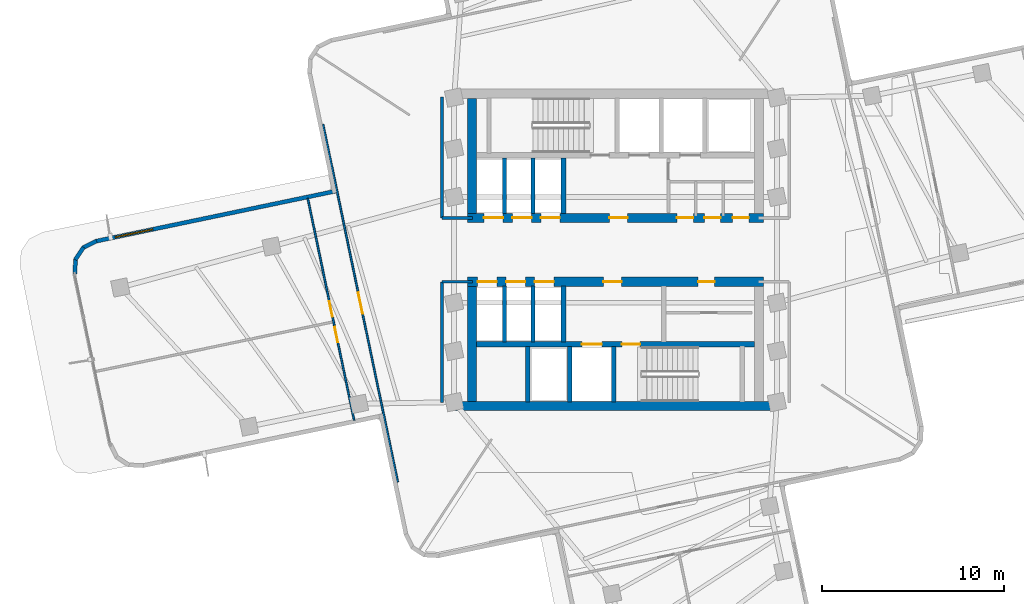
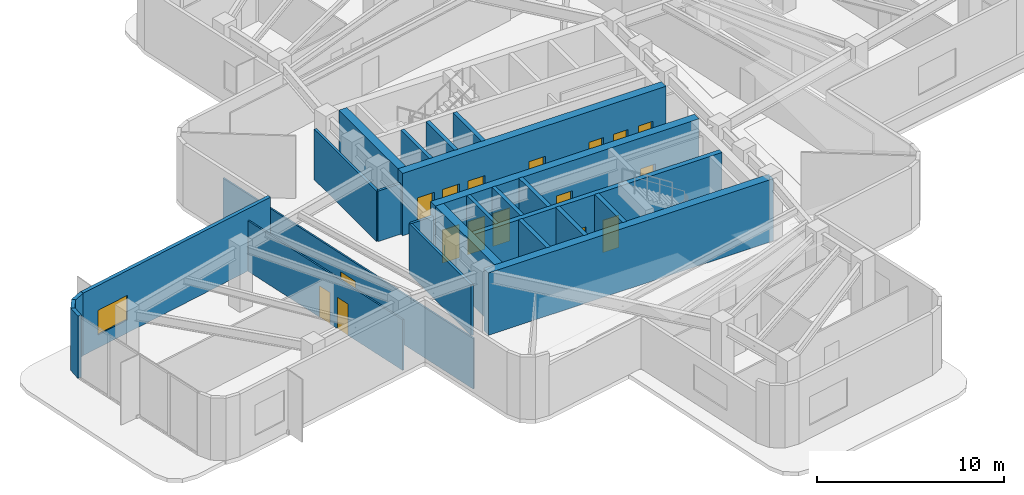
# One storey, part 6 of 12: 25 walls, 17 doors, 1 window, 18 openings.
"""IFC4 building model written with IfcOpenShell, lengths in metres."""

from ifc_helpers import new_model, si_unit, direction, frame, frame_2d, origin, place, context, subcontext, project, spatial, rectangle, extrude, material, layer, layer_set, type_object, element, fill, save


model = new_model("IFC4")

# Units and contexts
model_context = context("Model", 3, precision=1e-05, world=origin(), true_north=direction((0.0, 1.0)))
body_context = subcontext(model_context, "Body", "Model", "MODEL_VIEW")
ifc_project = project(units=[si_unit("LENGTHUNIT", "METRE"), si_unit("AREAUNIT", "SQUARE_METRE"), si_unit("VOLUMEUNIT", "CUBIC_METRE"), si_unit("PLANEANGLEUNIT", "RADIAN"), si_unit("MASSUNIT", "GRAM", prefix="KILO")], contexts=[model_context])

# Site, building, storey
site_placement = place(None, origin())
site = spatial("IfcSite", under=ifc_project, at=site_placement, CompositionType="ELEMENT")
building_placement = place(site_placement, origin())
building = spatial("IfcBuilding", under=site, at=building_placement, Name="Solmarez Civic Tower", CompositionType="ELEMENT")
storey_placement = place(building_placement, frame((0.0, 0.0, 111.9599609375)))
storey = spatial("IfcBuildingStorey", under=building, at=storey_placement, Name="L29", CompositionType="ELEMENT", Elevation=111.9599609375)

# Wall, openings, doors
ifc_material_1 = material(Name="Concrete C60/75", Category="concrete")
ifc_layer_1 = layer(ifc_material_1, 0.5)
ifc_layer_set_1 = layer_set([ifc_layer_1], Name="Concrete C60/75")
wall_type_1 = type_object("IfcWallType", Name="WALL-CORE-500", PredefinedType="SHEAR", material=ifc_layer_set_1)
wall_1_placement = place(storey_placement, frame((8.1201171875, 1.75, 0.0), z_axis=(0.0, 0.0, 1.0), x_axis=(-1.0, 0.0, 0.0)))
wall_1 = element("IfcWall", 1, at=wall_1_placement, inside=storey, type_object=wall_type_1, Name="L29 Split-Core Structural Wall NCW-S-L29", PredefinedType="SHEAR", context=body_context, shape_type="SweptSolid", body=[
    extrude(rectangle(XDim=16.240234375, YDim=0.5, at=frame_2d((8.1201171875, 0.0))), origin(), (0.0, 0.0, 1.0), 4.06005859375),
])
opening_1_placement = place(wall_1_placement, frame((7.449951171875, 0.0, 0.0)))
opening_1 = element("IfcOpeningElement", 2, at=opening_1_placement, cuts=wall_1, Name="Opening D-04", PredefinedType="OPENING", context=body_context, shape_type="SweptSolid", body=[
    extrude(rectangle(XDim=1.0, YDim=2.10009765625, at=frame_2d((0.5, 1.050048828125))), frame((0.0, 0.260009765625, 0.0), z_axis=(0.0, -1.0, 0.0), x_axis=(1.0, 0.0, 0.0)), (0.0, 0.0, 1.0), 0.52001953125),
])
opening_2_placement = place(wall_1_placement, frame((14.284912109375, 0.0, 0.0)))
opening_2 = element("IfcOpeningElement", 3, at=opening_2_placement, cuts=wall_1, Name="Opening LD-01", PredefinedType="OPENING", context=body_context, shape_type="SweptSolid", body=[
    extrude(rectangle(XDim=1.050048828125, YDim=2.14990234375, at=frame_2d((0.52490234375, 1.074951171875))), frame((0.0, 0.260009765625, 0.0), z_axis=(0.0, -1.0, 0.0), x_axis=(1.0, 0.0, 0.0)), (0.0, 0.0, 1.0), 0.52001953125),
])
opening_3_placement = place(wall_1_placement, frame((12.72509765625, 0.0, 0.0)))
opening_3 = element("IfcOpeningElement", 4, at=opening_3_placement, cuts=wall_1, Name="Opening LD-01", PredefinedType="OPENING", context=body_context, shape_type="SweptSolid", body=[
    extrude(rectangle(XDim=1.050048828125, YDim=2.14990234375, at=frame_2d((0.52490234375, 1.074951171875))), frame((0.0, 0.260009765625, 0.0), z_axis=(0.0, -1.0, 0.0), x_axis=(1.0, 0.0, 0.0)), (0.0, 0.0, 1.0), 0.52001953125),
])
opening_4_placement = place(wall_1_placement, frame((11.1650390625, 0.0, 0.0)))
opening_4 = element("IfcOpeningElement", 5, at=opening_4_placement, cuts=wall_1, Name="Opening LD-01", PredefinedType="OPENING", context=body_context, shape_type="SweptSolid", body=[
    extrude(rectangle(XDim=1.050048828125, YDim=2.14990234375, at=frame_2d((0.52490234375, 1.074951171875))), frame((0.0, 0.260009765625, 0.0), z_axis=(0.0, -1.0, 0.0), x_axis=(1.0, 0.0, 0.0)), (0.0, 0.0, 1.0), 0.52001953125),
])
opening_5_placement = place(wall_1_placement, frame((3.85009765625, 0.0, 0.0)))
opening_5 = element("IfcOpeningElement", 6, at=opening_5_placement, cuts=wall_1, Name="Opening D-09", PredefinedType="OPENING", context=body_context, shape_type="SweptSolid", body=[
    extrude(rectangle(XDim=0.89990234375, YDim=2.06005859375, at=frame_2d((0.449951171875, 1.030029296875))), frame((0.0, 0.260009765625, 0.0), z_axis=(0.0, -1.0, 0.0), x_axis=(1.0, 0.0, 0.0)), (0.0, 0.0, 1.0), 0.52001953125),
])
opening_6_placement = place(wall_1_placement, frame((2.35009765625, 0.0, 0.0)))
opening_6 = element("IfcOpeningElement", 7, at=opening_6_placement, cuts=wall_1, Name="Opening D-09", PredefinedType="OPENING", context=body_context, shape_type="SweptSolid", body=[
    extrude(rectangle(XDim=0.89990234375, YDim=2.06005859375, at=frame_2d((0.449951171875, 1.030029296875))), frame((0.0, 0.260009765625, 0.0), z_axis=(0.0, -1.0, 0.0), x_axis=(1.0, 0.0, 0.0)), (0.0, 0.0, 1.0), 0.52001953125),
])
opening_7_placement = place(wall_1_placement, frame((0.800048828125, 0.0, 0.0)))
opening_7 = element("IfcOpeningElement", 8, at=opening_7_placement, cuts=wall_1, Name="Opening D-09", PredefinedType="OPENING", context=body_context, shape_type="SweptSolid", body=[
    extrude(rectangle(XDim=0.89990234375, YDim=2.06005859375, at=frame_2d((0.449951171875, 1.030029296875))), frame((0.0, 0.260009765625, 0.0), z_axis=(0.0, -1.0, 0.0), x_axis=(1.0, 0.0, 0.0)), (0.0, 0.0, 1.0), 0.52001953125),
])
ifc_material_2 = material(Name="Steel-Faced Acoustic Fire Door", Category="steel")
door_type_1 = type_object("IfcDoorType", Name="DOOR-FD60-1000", OperationType="NOTDEFINED", PredefinedType="DOOR", material=ifc_material_2)
door_1_placement = place(opening_1_placement, origin())
door_1 = element("IfcDoor", 9, at=door_1_placement, inside=storey, type_object=door_type_1, Name="L29 North Firefighting Lobby Door", OperationType="SINGLE_SWING_RIGHT", OverallHeight=2.10009765625, OverallWidth=1.0, PredefinedType="DOOR", context=body_context, shape_type="SweptSolid", body=[
    extrude(rectangle(XDim=1.0, YDim=2.10009765625, at=frame_2d((0.5, 1.050048828125))), frame((0.0, 0.02490234375, 0.0), z_axis=(0.0, -1.0, 0.0), x_axis=(1.0, 0.0, 0.0)), (0.0, 0.0, 1.0), 0.050048828125),
])
fill(opening_1, door_1)
ifc_material_3 = material(Name="Fire-Rated Service Core Door", Category="wood")
door_type_2 = type_object("IfcDoorType", Name="DOOR-FD60-900", OperationType="NOTDEFINED", PredefinedType="DOOR", material=ifc_material_3)
door_2_placement = place(opening_5_placement, origin())
door_2 = element("IfcDoor", 10, at=door_2_placement, inside=storey, type_object=door_type_2, Name="L29 Core WC Door", OperationType="SINGLE_SWING_RIGHT", OverallHeight=2.06005859375, OverallWidth=0.89990234375, PredefinedType="DOOR", context=body_context, shape_type="SweptSolid", body=[
    extrude(rectangle(XDim=0.89990234375, YDim=2.06005859375, at=frame_2d((0.449951171875, 1.030029296875))), frame((0.0, 0.02490234375, 0.0), z_axis=(0.0, -1.0, 0.0), x_axis=(1.0, 0.0, 0.0)), (0.0, 0.0, 1.0), 0.050048828125),
])
fill(opening_5, door_2)
door_3_placement = place(opening_6_placement, origin())
door_3 = element("IfcDoor", 11, at=door_3_placement, inside=storey, type_object=door_type_2, Name="L29 Core CL Door", OperationType="SINGLE_SWING_LEFT", OverallHeight=2.06005859375, OverallWidth=0.89990234375, PredefinedType="DOOR", context=body_context, shape_type="SweptSolid", body=[
    extrude(rectangle(XDim=0.89990234375, YDim=2.06005859375, at=frame_2d((0.449951171875, 1.030029296875))), frame((0.0, 0.02490234375, 0.0), z_axis=(0.0, -1.0, 0.0), x_axis=(1.0, 0.0, 0.0)), (0.0, 0.0, 1.0), 0.050048828125),
])
fill(opening_6, door_3)
door_4_placement = place(opening_7_placement, origin())
door_4 = element("IfcDoor", 12, at=door_4_placement, inside=storey, type_object=door_type_2, Name="L29 Core IT Door", OperationType="SINGLE_SWING_LEFT", OverallHeight=2.06005859375, OverallWidth=0.89990234375, PredefinedType="DOOR", context=body_context, shape_type="SweptSolid", body=[
    extrude(rectangle(XDim=0.89990234375, YDim=2.06005859375, at=frame_2d((0.449951171875, 1.030029296875))), frame((0.0, 0.02490234375, 0.0), z_axis=(0.0, -1.0, 0.0), x_axis=(1.0, 0.0, 0.0)), (0.0, 0.0, 1.0), 0.050048828125),
])
fill(opening_7, door_4)
ifc_material_4 = material(Name="Bronze Passenger Lift Landing Sliding Door", Category="aluminium")
door_type_3 = type_object("IfcDoorType", Name="DOOR-LD-PAX-1050", OperationType="DOUBLE_DOOR_SLIDING", PredefinedType="DOOR", material=ifc_material_4)
door_5_placement = place(opening_2_placement, origin())
door_5 = element("IfcDoor", 13, at=door_5_placement, inside=storey, type_object=door_type_3, Name="L29 High-Rise Lift Landing Door PL-H1", OperationType="DOUBLE_DOOR_SLIDING", OverallHeight=2.14990234375, OverallWidth=1.050048828125, PredefinedType="DOOR", context=body_context, shape_type="SweptSolid", body=[
    extrude(rectangle(XDim=1.050048828125, YDim=2.14990234375, at=frame_2d((0.52490234375, 1.074951171875))), frame((0.0, 0.02490234375, 0.0), z_axis=(0.0, -1.0, 0.0), x_axis=(1.0, 0.0, 0.0)), (0.0, 0.0, 1.0), 0.050048828125),
])
fill(opening_2, door_5)
door_6_placement = place(opening_3_placement, origin())
door_6 = element("IfcDoor", 14, at=door_6_placement, inside=storey, type_object=door_type_3, Name="L29 High-Rise Lift Landing Door PL-H2", OperationType="DOUBLE_DOOR_SLIDING", OverallHeight=2.14990234375, OverallWidth=1.050048828125, PredefinedType="DOOR", context=body_context, shape_type="SweptSolid", body=[
    extrude(rectangle(XDim=1.050048828125, YDim=2.14990234375, at=frame_2d((0.52490234375, 1.074951171875))), frame((0.0, 0.02490234375, 0.0), z_axis=(0.0, -1.0, 0.0), x_axis=(1.0, 0.0, 0.0)), (0.0, 0.0, 1.0), 0.050048828125),
])
fill(opening_3, door_6)
door_7_placement = place(opening_4_placement, origin())
door_7 = element("IfcDoor", 15, at=door_7_placement, inside=storey, type_object=door_type_3, Name="L29 High-Rise Lift Landing Door PL-H3", OperationType="DOUBLE_DOOR_SLIDING", OverallHeight=2.14990234375, OverallWidth=1.050048828125, PredefinedType="DOOR", context=body_context, shape_type="SweptSolid", body=[
    extrude(rectangle(XDim=1.050048828125, YDim=2.14990234375, at=frame_2d((0.52490234375, 1.074951171875))), frame((0.0, 0.02490234375, 0.0), z_axis=(0.0, -1.0, 0.0), x_axis=(1.0, 0.0, 0.0)), (0.0, 0.0, 1.0), 0.050048828125),
])
fill(opening_4, door_7)

# Walls
wall_2_placement = place(storey_placement, frame((-7.8701171875, 2.0, 0.0), z_axis=(0.0, 0.0, 1.0), x_axis=(0.0, 1.0, 0.0)))
element("IfcWall", 16, at=wall_2_placement, inside=storey, type_object=wall_type_1, Name="L29 Split-Core Structural Wall NCW-W-L29", PredefinedType="SHEAR", context=body_context, shape_type="SweptSolid", body=[
    extrude(rectangle(XDim=6.31005859375, YDim=0.5, at=frame_2d((3.155029296875, 0.0))), origin(), (0.0, 0.0, 1.0), 4.06005859375),
])
wall_3_placement = place(storey_placement, frame((8.780029296875, -8.56005859375, 0.0), z_axis=(0.0, 0.0, 1.0), x_axis=(-1.0, 0.0, 0.0)))
element("IfcWall", 17, at=wall_3_placement, inside=storey, type_object=wall_type_1, Name="L29 Split-Core Structural Wall SCW-S-L29", PredefinedType="SHEAR", context=body_context, shape_type="SweptSolid", body=[
    extrude(rectangle(XDim=17.56005859375, YDim=0.5, at=frame_2d((8.780029296875, 0.0))), origin(), (0.0, 0.0, 1.0), 4.06005859375),
])

# Wall, openings, doors
wall_4_placement = place(storey_placement, frame((-8.1201171875, -1.75, 0.0), z_axis=(0.0, 0.0, 1.0), x_axis=(1.0, 0.0, 0.0)))
wall_4 = element("IfcWall", 18, at=wall_4_placement, inside=storey, type_object=wall_type_1, Name="L29 Split-Core Structural Wall SCW-N-L29", PredefinedType="SHEAR", context=body_context, shape_type="SweptSolid", body=[
    extrude(rectangle(XDim=16.240234375, YDim=0.5, at=frame_2d((8.1201171875, 0.0))), origin(), (0.0, 0.0, 1.0), 4.06005859375),
])
opening_8_placement = place(wall_4_placement, frame((7.449951171875, 0.0, 0.0)))
opening_8 = element("IfcOpeningElement", 19, at=opening_8_placement, cuts=wall_4, Name="Opening D-04", PredefinedType="OPENING", context=body_context, shape_type="SweptSolid", body=[
    extrude(rectangle(XDim=1.0, YDim=2.10009765625, at=frame_2d((0.5, 1.050048828125))), frame((0.0, 0.260009765625, 0.0), z_axis=(0.0, -1.0, 0.0), x_axis=(1.0, 0.0, 0.0)), (0.0, 0.0, 1.0), 0.52001953125),
])
opening_9_placement = place(wall_4_placement, frame((12.64990234375, 0.0, 0.0)))
opening_9 = element("IfcOpeningElement", 20, at=opening_9_placement, cuts=wall_4, Name="Opening D-09", PredefinedType="OPENING", context=body_context, shape_type="SweptSolid", body=[
    extrude(rectangle(XDim=0.89990234375, YDim=2.06005859375, at=frame_2d((0.449951171875, 1.030029296875))), frame((0.0, 0.260009765625, 0.0), z_axis=(0.0, -1.0, 0.0), x_axis=(1.0, 0.0, 0.0)), (0.0, 0.0, 1.0), 0.52001953125),
])
opening_10_placement = place(wall_4_placement, frame((0.56494140625, 0.0, 0.0)))
opening_10 = element("IfcOpeningElement", 21, at=opening_10_placement, cuts=wall_4, Name="Opening LD-01", PredefinedType="OPENING", context=body_context, shape_type="SweptSolid", body=[
    extrude(rectangle(XDim=1.050048828125, YDim=2.14990234375, at=frame_2d((0.52490234375, 1.074951171875))), frame((0.0, 0.260009765625, 0.0), z_axis=(0.0, -1.0, 0.0), x_axis=(1.0, 0.0, 0.0)), (0.0, 0.0, 1.0), 0.52001953125),
])
opening_11_placement = place(wall_4_placement, frame((2.125, 0.0, 0.0)))
opening_11 = element("IfcOpeningElement", 22, at=opening_11_placement, cuts=wall_4, Name="Opening LD-01", PredefinedType="OPENING", context=body_context, shape_type="SweptSolid", body=[
    extrude(rectangle(XDim=1.050048828125, YDim=2.14990234375, at=frame_2d((0.52490234375, 1.074951171875))), frame((0.0, 0.260009765625, 0.0), z_axis=(0.0, -1.0, 0.0), x_axis=(1.0, 0.0, 0.0)), (0.0, 0.0, 1.0), 0.52001953125),
])
opening_12_placement = place(wall_4_placement, frame((3.68505859375, 0.0, 0.0)))
opening_12 = element("IfcOpeningElement", 23, at=opening_12_placement, cuts=wall_4, Name="Opening LD-01", PredefinedType="OPENING", context=body_context, shape_type="SweptSolid", body=[
    extrude(rectangle(XDim=1.050048828125, YDim=2.14990234375, at=frame_2d((0.52490234375, 1.074951171875))), frame((0.0, 0.260009765625, 0.0), z_axis=(0.0, -1.0, 0.0), x_axis=(1.0, 0.0, 0.0)), (0.0, 0.0, 1.0), 0.52001953125),
])
door_8_placement = place(opening_8_placement, origin())
door_8 = element("IfcDoor", 24, at=door_8_placement, inside=storey, type_object=door_type_1, Name="L29 South Firefighting Lobby Door", OperationType="SINGLE_SWING_LEFT", OverallHeight=2.10009765625, OverallWidth=1.0, PredefinedType="DOOR", context=body_context, shape_type="SweptSolid", body=[
    extrude(rectangle(XDim=1.0, YDim=2.10009765625, at=frame_2d((0.5, 1.050048828125))), frame((0.0, 0.02490234375, 0.0), z_axis=(0.0, -1.0, 0.0), x_axis=(1.0, 0.0, 0.0)), (0.0, 0.0, 1.0), 0.050048828125),
])
fill(opening_8, door_8)
door_9_placement = place(opening_9_placement, origin())
door_9 = element("IfcDoor", 25, at=door_9_placement, inside=storey, type_object=door_type_2, Name="L29 Freed Hoistway Mailroom Door", OperationType="SINGLE_SWING_LEFT", OverallHeight=2.06005859375, OverallWidth=0.89990234375, PredefinedType="DOOR", context=body_context, shape_type="SweptSolid", body=[
    extrude(rectangle(XDim=0.89990234375, YDim=2.06005859375, at=frame_2d((0.449951171875, 1.030029296875))), frame((0.0, 0.02490234375, 0.0), z_axis=(0.0, -1.0, 0.0), x_axis=(1.0, 0.0, 0.0)), (0.0, 0.0, 1.0), 0.050048828125),
])
fill(opening_9, door_9)
door_10_placement = place(opening_10_placement, origin())
door_10 = element("IfcDoor", 26, at=door_10_placement, inside=storey, type_object=door_type_3, Name="L29 Mid-Rise Lift Landing Door PL-M1", OperationType="DOUBLE_DOOR_SLIDING", OverallHeight=2.14990234375, OverallWidth=1.050048828125, PredefinedType="DOOR", context=body_context, shape_type="SweptSolid", body=[
    extrude(rectangle(XDim=1.050048828125, YDim=2.14990234375, at=frame_2d((0.52490234375, 1.074951171875))), frame((0.0, 0.02490234375, 0.0), z_axis=(0.0, -1.0, 0.0), x_axis=(1.0, 0.0, 0.0)), (0.0, 0.0, 1.0), 0.050048828125),
])
fill(opening_10, door_10)
door_11_placement = place(opening_11_placement, origin())
door_11 = element("IfcDoor", 27, at=door_11_placement, inside=storey, type_object=door_type_3, Name="L29 Mid-Rise Lift Landing Door PL-M2", OperationType="DOUBLE_DOOR_SLIDING", OverallHeight=2.14990234375, OverallWidth=1.050048828125, PredefinedType="DOOR", context=body_context, shape_type="SweptSolid", body=[
    extrude(rectangle(XDim=1.050048828125, YDim=2.14990234375, at=frame_2d((0.52490234375, 1.074951171875))), frame((0.0, 0.02490234375, 0.0), z_axis=(0.0, -1.0, 0.0), x_axis=(1.0, 0.0, 0.0)), (0.0, 0.0, 1.0), 0.050048828125),
])
fill(opening_11, door_11)
door_12_placement = place(opening_12_placement, origin())
door_12 = element("IfcDoor", 28, at=door_12_placement, inside=storey, type_object=door_type_3, Name="L29 Mid-Rise Lift Landing Door PL-M3", OperationType="DOUBLE_DOOR_SLIDING", OverallHeight=2.14990234375, OverallWidth=1.050048828125, PredefinedType="DOOR", context=body_context, shape_type="SweptSolid", body=[
    extrude(rectangle(XDim=1.050048828125, YDim=2.14990234375, at=frame_2d((0.52490234375, 1.074951171875))), frame((0.0, 0.02490234375, 0.0), z_axis=(0.0, -1.0, 0.0), x_axis=(1.0, 0.0, 0.0)), (0.0, 0.0, 1.0), 0.050048828125),
])
fill(opening_12, door_12)

# Walls
wall_5_placement = place(storey_placement, frame((-7.8701171875, -8.31005859375, 0.0), z_axis=(0.0, 0.0, 1.0), x_axis=(0.0, 1.0, 0.0)))
element("IfcWall", 29, at=wall_5_placement, inside=storey, type_object=wall_type_1, Name="L29 Split-Core Structural Wall SCW-W-L29", PredefinedType="SHEAR", context=body_context, shape_type="SweptSolid", body=[
    extrude(rectangle(XDim=6.31005859375, YDim=0.5, at=frame_2d((3.155029296875, 0.0))), origin(), (0.0, 0.0, 1.0), 4.06005859375),
])
ifc_material_5 = material(Name="Precast concrete C40/50", Category="concrete")
ifc_layer_2 = layer(ifc_material_5, 0.219970703125)
ifc_layer_set_2 = layer_set([ifc_layer_2], Name="Precast concrete C40/50")
wall_type_2 = type_object("IfcWallType", Name="WALL-EXT-220", PredefinedType="SOLIDWALL", material=ifc_layer_set_2)
wall_6_placement = place(storey_placement, frame((-29.65087890625, -1.330078125, 0.0), z_axis=(0.0, 0.0, 1.0), x_axis=(0.055016197793, 0.998485462078, 0.0)))
element("IfcWall", 30, at=wall_6_placement, inside=storey, type_object=wall_type_2, Name="L29 Exterior Precast Wall 7", PredefinedType="SOLIDWALL", context=body_context, shape_type="SweptSolid", body=[
    extrude(rectangle(XDim=0.834228515625, YDim=0.219970703125, at=frame_2d((0.4169921875, 0.0))), origin(), (0.0, 0.0, 1.0), 4.06005859375),
])
wall_7_placement = place(storey_placement, frame((-29.6201171875, -0.54296875, 0.0), z_axis=(0.0, 0.0, 1.0), x_axis=(0.54835696222, 0.836244367386, 0.0)))
element("IfcWall", 31, at=wall_7_placement, inside=storey, type_object=wall_type_2, Name="L29 Exterior Precast Wall 8", PredefinedType="SOLIDWALL", context=body_context, shape_type="SweptSolid", body=[
    extrude(rectangle(XDim=0.819091796875, YDim=0.219970703125, at=frame_2d((0.40966796875, 0.0))), origin(), (0.0, 0.0, 1.0), 4.06005859375),
])
wall_8_placement = place(storey_placement, frame((-29.20703125, 0.110107421875, 0.0), z_axis=(0.0, 0.0, 1.0), x_axis=(0.892545226532, 0.450957890046, 0.0)))
element("IfcWall", 32, at=wall_8_placement, inside=storey, type_object=wall_type_2, Name="L29 Exterior Precast Wall 9", PredefinedType="SOLIDWALL", context=body_context, shape_type="SweptSolid", body=[
    extrude(rectangle(XDim=0.833740234375, YDim=0.219970703125, at=frame_2d((0.4169921875, 0.0))), origin(), (0.0, 0.0, 1.0), 4.06005859375),
])

# Wall, opening, window
wall_9_placement = place(storey_placement, frame((-28.509033203125, 0.469970703125, 0.0), z_axis=(0.0, 0.0, 1.0), x_axis=(0.97885663995, 0.204547496749, 0.0)))
wall_9 = element("IfcWall", 33, at=wall_9_placement, inside=storey, type_object=wall_type_2, Name="L29 Exterior Precast Wall 10", PredefinedType="SOLIDWALL", context=body_context, shape_type="SweptSolid", body=[
    extrude(rectangle(XDim=13.458740234375, YDim=0.219970703125, at=frame_2d((6.7294921875, 0.0))), origin(), (0.0, 0.0, 1.0), 4.06005859375),
])
opening_13_placement = place(wall_9_placement, frame((1.10009765625, 0.0, 0.85009765625)))
opening_13 = element("IfcOpeningElement", 34, at=opening_13_placement, cuts=wall_9, Name="Opening W-11", PredefinedType="OPENING", context=body_context, shape_type="SweptSolid", body=[
    extrude(rectangle(XDim=2.10009765625, YDim=1.60009765625, at=frame_2d((1.050048828125, 0.800048828125))), frame((0.0, 0.119873046875, 0.0), z_axis=(0.0, -1.0, 0.0), x_axis=(1.0, 0.0, 0.0)), (0.0, 0.0, 1.0), 0.239990234375),
])
ifc_material_6 = material(Name="Solar Control Bronze-Tinted Insulating Glass", Category="glass")
window_type = type_object("IfcWindowType", Name="WIN-2100X1600", PartitioningType="SINGLE_PANEL", PredefinedType="WINDOW", material=ifc_material_6)
window_placement = place(opening_13_placement, origin())
window = element("IfcWindow", 35, at=window_placement, inside=storey, type_object=window_type, Name="L29 Exterior Facade Window 10", OverallHeight=1.60009765625, OverallWidth=2.10009765625, PartitioningType="SINGLE_PANEL", PredefinedType="WINDOW", context=body_context, shape_type="SweptSolid", body=[
    extrude(rectangle(XDim=2.10009765625, YDim=1.60009765625, at=frame_2d((1.050048828125, 0.800048828125))), frame((0.0, 0.030029296875, 0.0), z_axis=(0.0, -1.0, 0.0), x_axis=(1.0, 0.0, 0.0)), (0.0, 0.0, 1.0), 0.06005859375),
])
fill(opening_13, window)

# Walls
ifc_material_7 = material(Name="Gypsum Board Acoustic Steel-Stud Partition", Category="steel")
ifc_layer_3 = layer(ifc_material_7, 0.14990234375)
ifc_layer_set_3 = layer_set([ifc_layer_3], Name="Gypsum Board Acoustic Steel-Stud Partition")
wall_type_3 = type_object("IfcWallType", Name="WALL-INT-FIRE-150", PredefinedType="PARTITIONING", material=ifc_layer_set_3)
wall_10_placement = place(storey_placement, frame((-9.52001953125, 1.75, 0.0), z_axis=(0.0, 0.0, 1.0), x_axis=(0.0, 1.0, 0.0)))
element("IfcWall", 36, at=wall_10_placement, inside=storey, type_object=wall_type_3, Name="L29 Interior Partition CHW-L29-WN1", PredefinedType="PARTITIONING", context=body_context, shape_type="SweptSolid", body=[
    extrude(rectangle(XDim=6.6298828125, YDim=0.14990234375, at=frame_2d((3.31494140625, 0.0))), origin(), (0.0, 0.0, 1.0), 3.2900390625),
])
wall_11_placement = place(storey_placement, frame((-7.85009765625, 1.75, 0.0), z_axis=(0.0, 0.0, 1.0), x_axis=(-1.0, 0.0, 0.0)))
element("IfcWall", 37, at=wall_11_placement, inside=storey, type_object=wall_type_3, Name="L29 Interior Partition CHW-L29-WN3", PredefinedType="PARTITIONING", context=body_context, shape_type="SweptSolid", body=[
    extrude(rectangle(XDim=1.669921875, YDim=0.14990234375, at=frame_2d((0.8349609375, 0.0))), origin(), (0.0, 0.0, 1.0), 3.2900390625),
])
wall_12_placement = place(storey_placement, frame((-9.52001953125, -8.3798828125, 0.0), z_axis=(0.0, 0.0, 1.0), x_axis=(0.0, 1.0, 0.0)))
element("IfcWall", 38, at=wall_12_placement, inside=storey, type_object=wall_type_3, Name="L29 Interior Partition CHW-L29-WS1", PredefinedType="PARTITIONING", context=body_context, shape_type="SweptSolid", body=[
    extrude(rectangle(XDim=6.6298828125, YDim=0.14990234375, at=frame_2d((3.31494140625, 0.0))), origin(), (0.0, 0.0, 1.0), 3.2900390625),
])
wall_13_placement = place(storey_placement, frame((-7.85009765625, -1.75, 0.0), z_axis=(0.0, 0.0, 1.0), x_axis=(-1.0, 0.0, 0.0)))
element("IfcWall", 39, at=wall_13_placement, inside=storey, type_object=wall_type_3, Name="L29 Interior Partition CHW-L29-WS3", PredefinedType="PARTITIONING", context=body_context, shape_type="SweptSolid", body=[
    extrude(rectangle(XDim=1.669921875, YDim=0.14990234375, at=frame_2d((0.8349609375, 0.0))), origin(), (0.0, 0.0, 1.0), 3.2900390625),
])

# Wall, opening, door
ifc_layer_4 = layer(ifc_material_7, 0.10009765625)
ifc_layer_set_4 = layer_set([ifc_layer_4], Name="Gypsum Board Acoustic Steel-Stud Partition")
wall_type_4 = type_object("IfcWallType", Name="WALL-INT-PART-100", PredefinedType="PARTITIONING", material=ifc_layer_set_4)
wall_14_placement = place(storey_placement, frame((-11.93896484375, -12.72998046875, 0.0), z_axis=(0.0, 0.0, 1.0), x_axis=(-0.204503489908, 0.978865834839, 0.0)))
wall_14 = element("IfcWall", 40, at=wall_14_placement, inside=storey, type_object=wall_type_4, Name="L29 Interior Partition PT-L29-W-ENT", PredefinedType="PARTITIONING", context=body_context, shape_type="SweptSolid", body=[
    extrude(rectangle(XDim=20.03955078125, YDim=0.10009765625, at=frame_2d((10.019775390625, 0.0))), origin(), (0.0, 0.0, 1.0), 3.2900390625),
])
opening_14_placement = place(wall_14_placement, frame((9.419921875, 0.0, 0.0)))
opening_14 = element("IfcOpeningElement", 41, at=opening_14_placement, cuts=wall_14, Name="Opening D-11", PredefinedType="OPENING", context=body_context, shape_type="SweptSolid", body=[
    extrude(rectangle(XDim=1.199951171875, YDim=2.10009765625, at=frame_2d((0.60009765625, 1.050048828125))), frame((0.0, 0.06005859375, 0.0), z_axis=(0.0, -1.0, 0.0), x_axis=(1.0, 0.0, 0.0)), (0.0, 0.0, 1.0), 0.1201171875),
])
ifc_material_8 = material(Name="Glazed-Vision Acoustic Chamber Door", Category="wood")
door_type_4 = type_object("IfcDoorType", Name="DOOR-INT-1200", OperationType="NOTDEFINED", PredefinedType="DOOR", material=ifc_material_8)
door_13_placement = place(opening_14_placement, origin())
door_13 = element("IfcDoor", 42, at=door_13_placement, inside=storey, type_object=door_type_4, Name="L29 Citizen Consultation Room First West Door", OperationType="SINGLE_SWING_LEFT", OverallHeight=2.10009765625, OverallWidth=1.199951171875, PredefinedType="DOOR", context=body_context, shape_type="SweptSolid", body=[
    extrude(rectangle(XDim=1.199951171875, YDim=2.10009765625, at=frame_2d((0.60009765625, 1.050048828125))), frame((0.0, 0.02490234375, 0.0), z_axis=(0.0, -1.0, 0.0), x_axis=(1.0, 0.0, 0.0)), (0.0, 0.0, 1.0), 0.050048828125),
])
fill(opening_14, door_13)

# Wall, openings, doors
wall_15_placement = place(storey_placement, frame((-16.8740234375, 2.823974609375, 0.0), z_axis=(0.0, 0.0, 1.0), x_axis=(0.204509549155, -0.978864568929, 0.0)))
wall_15 = element("IfcWall", 43, at=wall_15_placement, inside=storey, type_object=wall_type_4, Name="L29 Interior Partition PT-L29-W-SCUT", PredefinedType="PARTITIONING", context=body_context, shape_type="SweptSolid", body=[
    extrude(rectangle(XDim=12.4296875, YDim=0.10009765625, at=frame_2d((6.21484375, 0.0))), origin(), (0.0, 0.0, 1.0), 3.2900390625),
])
opening_15_placement = place(wall_15_placement, frame((5.764892578125, 0.0, 0.0)))
opening_15 = element("IfcOpeningElement", 44, at=opening_15_placement, cuts=wall_15, Name="Opening D-14", PredefinedType="OPENING", context=body_context, shape_type="SweptSolid", body=[
    extrude(rectangle(XDim=0.860107421875, YDim=2.0400390625, at=frame_2d((0.43017578125, 1.02001953125))), frame((0.0, 0.06005859375, 0.0), z_axis=(0.0, -1.0, 0.0), x_axis=(1.0, 0.0, 0.0)), (0.0, 0.0, 1.0), 0.1201171875),
])
opening_16_placement = place(wall_15_placement, frame((7.205078125, 0.0, 0.0)))
opening_16 = element("IfcOpeningElement", 45, at=opening_16_placement, cuts=wall_15, Name="Opening D-14", PredefinedType="OPENING", context=body_context, shape_type="SweptSolid", body=[
    extrude(rectangle(XDim=0.860107421875, YDim=2.0400390625, at=frame_2d((0.43017578125, 1.02001953125))), frame((0.0, 0.06005859375, 0.0), z_axis=(0.0, -1.0, 0.0), x_axis=(1.0, 0.0, 0.0)), (0.0, 0.0, 1.0), 0.1201171875),
])
ifc_material_9 = material(Name="Timber Storage and Pantry Door", Category="wood")
door_type_5 = type_object("IfcDoorType", Name="DOOR-INT-850", OperationType="NOTDEFINED", PredefinedType="DOOR", material=ifc_material_9)
door_14_placement = place(opening_15_placement, origin())
door_14 = element("IfcDoor", 46, at=door_14_placement, inside=storey, type_object=door_type_5, Name="L29 Policy Seminar Room Third West Door", OperationType="SINGLE_SWING_RIGHT", OverallHeight=2.0400390625, OverallWidth=0.860107421875, PredefinedType="DOOR", context=body_context, shape_type="SweptSolid", body=[
    extrude(rectangle(XDim=0.860107421875, YDim=2.0400390625, at=frame_2d((0.43017578125, 1.02001953125))), frame((0.0, 0.02490234375, 0.0), z_axis=(0.0, -1.0, 0.0), x_axis=(1.0, 0.0, 0.0)), (0.0, 0.0, 1.0), 0.050048828125),
])
fill(opening_15, door_14)
door_15_placement = place(opening_16_placement, origin())
door_15 = element("IfcDoor", 47, at=door_15_placement, inside=storey, type_object=door_type_5, Name="L29 Inter-Ministerial Open Workspace Second West Door", OperationType="SINGLE_SWING_LEFT", OverallHeight=2.0400390625, OverallWidth=0.860107421875, PredefinedType="DOOR", context=body_context, shape_type="SweptSolid", body=[
    extrude(rectangle(XDim=0.860107421875, YDim=2.0400390625, at=frame_2d((0.43017578125, 1.02001953125))), frame((0.0, 0.02490234375, 0.0), z_axis=(0.0, -1.0, 0.0), x_axis=(1.0, 0.0, 0.0)), (0.0, 0.0, 1.0), 0.050048828125),
])
fill(opening_16, door_15)

ifc_material_10 = material(Name="Concrete C50/60", Category="concrete")
ifc_layer_5 = layer(ifc_material_10, 0.300048828125)
ifc_layer_set_5 = layer_set([ifc_layer_5], Name="Concrete C50/60")
wall_type_5 = type_object("IfcWallType", Name="WALL-STR-300", PredefinedType="SOLIDWALL", material=ifc_layer_set_5)
wall_16_placement = place(storey_placement, frame((-7.6201171875, -5.179931640625, 0.0), z_axis=(0.0, 0.0, 1.0), x_axis=(1.0, 0.0, 0.0)))
wall_16 = element("IfcWall", 48, at=wall_16_placement, inside=storey, type_object=wall_type_5, Name="L29 Split-Core Structural Wall SCW-M-L29", PredefinedType="SOLIDWALL", context=body_context, shape_type="SweptSolid", body=[
    extrude(rectangle(XDim=15.240234375, YDim=0.300048828125, at=frame_2d((7.6201171875, 0.0))), origin(), (0.0, 0.0, 1.0), 4.06005859375),
])
opening_17_placement = place(wall_16_placement, frame((5.77001953125, 0.0, 0.0)))
opening_17 = element("IfcOpeningElement", 49, at=opening_17_placement, cuts=wall_16, Name="Opening LD-02", PredefinedType="OPENING", context=body_context, shape_type="SweptSolid", body=[
    extrude(rectangle(XDim=1.10009765625, YDim=2.14990234375, at=frame_2d((0.550048828125, 1.074951171875))), frame((0.0, 0.159912109375, 0.0), z_axis=(0.0, -1.0, 0.0), x_axis=(1.0, 0.0, 0.0)), (0.0, 0.0, 1.0), 0.320068359375),
])
opening_18_placement = place(wall_16_placement, frame((7.969970703125, 0.0, 0.0)))
opening_18 = element("IfcOpeningElement", 50, at=opening_18_placement, cuts=wall_16, Name="Opening D-05", PredefinedType="OPENING", context=body_context, shape_type="SweptSolid", body=[
    extrude(rectangle(XDim=1.0, YDim=2.10009765625, at=frame_2d((0.5, 1.050048828125))), frame((0.0, 0.159912109375, 0.0), z_axis=(0.0, -1.0, 0.0), x_axis=(1.0, 0.0, 0.0)), (0.0, 0.0, 1.0), 0.320068359375),
])
ifc_material_11 = material(Name="Fire-Rated Stairwell Exit Door", Category="wood")
door_type_6 = type_object("IfcDoorType", Name="DOOR-FD90-1000", OperationType="NOTDEFINED", PredefinedType="DOOR", material=ifc_material_11)
door_16_placement = place(opening_18_placement, origin())
door_16 = element("IfcDoor", 51, at=door_16_placement, inside=storey, type_object=door_type_6, Name="L29 South Exit Stair Door ST-2", OperationType="SINGLE_SWING_LEFT", OverallHeight=2.10009765625, OverallWidth=1.0, PredefinedType="DOOR", context=body_context, shape_type="SweptSolid", body=[
    extrude(rectangle(XDim=1.0, YDim=2.10009765625, at=frame_2d((0.5, 1.050048828125))), frame((0.0, 0.02490234375, 0.0), z_axis=(0.0, -1.0, 0.0), x_axis=(1.0, 0.0, 0.0)), (0.0, 0.0, 1.0), 0.050048828125),
])
fill(opening_18, door_16)
ifc_material_12 = material(Name="Stainless Firefighting Lift Landing Sliding Door", Category="aluminium")
door_type_7 = type_object("IfcDoorType", Name="DOOR-LD-FF-1100", OperationType="DOUBLE_DOOR_SLIDING", PredefinedType="DOOR", material=ifc_material_12)
door_17_placement = place(opening_17_placement, origin())
door_17 = element("IfcDoor", 52, at=door_17_placement, inside=storey, type_object=door_type_7, Name="L29 Firefighting Lift Landing Door FFL-2", OperationType="DOUBLE_DOOR_SLIDING", OverallHeight=2.14990234375, OverallWidth=1.10009765625, PredefinedType="DOOR", context=body_context, shape_type="SweptSolid", body=[
    extrude(rectangle(XDim=1.10009765625, YDim=2.14990234375, at=frame_2d((0.550048828125, 1.074951171875))), frame((0.0, 0.02490234375, 0.0), z_axis=(0.0, -1.0, 0.0), x_axis=(1.0, 0.0, 0.0)), (0.0, 0.0, 1.0), 0.050048828125),
])
fill(opening_17, door_17)

# Walls
wall_17_placement = place(storey_placement, frame((-2.85009765625, 1.97998046875, 0.0), z_axis=(0.0, 0.0, 1.0), x_axis=(0.0, 1.0, 0.0)))
element("IfcWall", 53, at=wall_17_placement, inside=storey, type_object=wall_type_5, Name="L29 Split-Core Structural Wall SHW-NL1-L29", PredefinedType="SOLIDWALL", context=body_context, shape_type="SweptSolid", body=[
    extrude(rectangle(XDim=3.070068359375, YDim=0.25, at=frame_2d((1.53515625, 0.0))), origin(), (0.0, 0.0, 1.0), 4.06005859375),
])
for number, where, z_axis, x_axis, name in (
    (54, (-0.10009765625, -8.340087890625, 0.0), (0.0, 0.0, 1.0), (0.0, 1.0, 0.0), "L29 Split-Core Structural Wall SHW-S1-L29"),
    (55, (-2.5, -8.340087890625, 0.0), (0.0, 0.0, 1.0), (0.0, 1.0, 0.0), "L29 Split-Core Structural Wall SHW-S2-L29"),
    (56, (-4.800048828125, -8.340087890625, 0.0), (0.0, 0.0, 1.0), (0.0, 1.0, 0.0), "L29 Split-Core Structural Wall SHW-S3-L29"),
):
    element("IfcWall", number, at=place(storey_placement, frame(where, z_axis=z_axis, x_axis=x_axis)), inside=storey, type_object=wall_type_5, Name=name, PredefinedType="SOLIDWALL", context=body_context, shape_type="SweptSolid", body=[
        extrude(rectangle(XDim=3.0400390625, YDim=0.25, at=frame_2d((1.52001953125, 0.0))), origin(), (0.0, 0.0, 1.0), 4.06005859375),
    ])
wall_18_placement = place(storey_placement, frame((-2.85009765625, -5.050048828125, 0.0), z_axis=(0.0, 0.0, 1.0), x_axis=(0.0, 1.0, 0.0)))
element("IfcWall", 57, at=wall_18_placement, inside=storey, type_object=wall_type_5, Name="L29 Split-Core Structural Wall SHW-SL1-L29", PredefinedType="SOLIDWALL", context=body_context, shape_type="SweptSolid", body=[
    extrude(rectangle(XDim=3.070068359375, YDim=0.25, at=frame_2d((1.53515625, 0.0))), origin(), (0.0, 0.0, 1.0), 4.06005859375),
])
for number, where, z_axis, x_axis, name in (
    (58, (-6.080078125, 1.97998046875, 0.0), (0.0, 0.0, 1.0), (0.0, 1.0, 0.0), "L29 Split-Core Structural Wall SHW-PLH-L29-1"),
    (59, (-4.52001953125, 1.97998046875, 0.0), (0.0, 0.0, 1.0), (0.0, 1.0, 0.0), "L29 Split-Core Structural Wall SHW-PLH-L29-2"),
    (60, (-6.080078125, -5.050048828125, 0.0), (0.0, 0.0, 1.0), (0.0, 1.0, 0.0), "L29 Split-Core Structural Wall SHW-PLM-L29-1"),
    (61, (-4.52001953125, -5.050048828125, 0.0), (0.0, 0.0, 1.0), (0.0, 1.0, 0.0), "L29 Split-Core Structural Wall SHW-PLM-L29-2"),
):
    element("IfcWall", number, at=place(storey_placement, frame(where, z_axis=z_axis, x_axis=x_axis)), inside=storey, type_object=wall_type_5, Name=name, PredefinedType="SOLIDWALL", context=body_context, shape_type="SweptSolid", body=[
        extrude(rectangle(XDim=3.070068359375, YDim=0.219970703125, at=frame_2d((1.53515625, 0.0))), origin(), (0.0, 0.0, 1.0), 4.06005859375),
    ])

save(model, "model.ifc")
